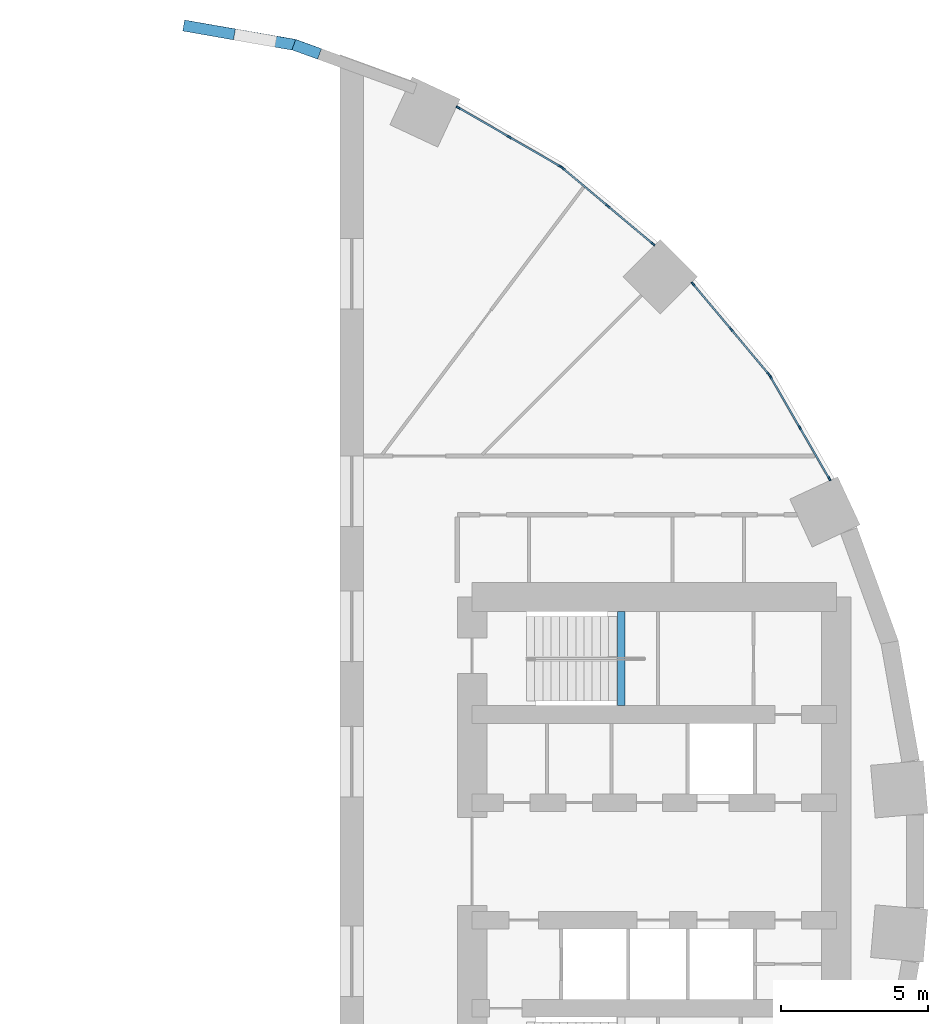
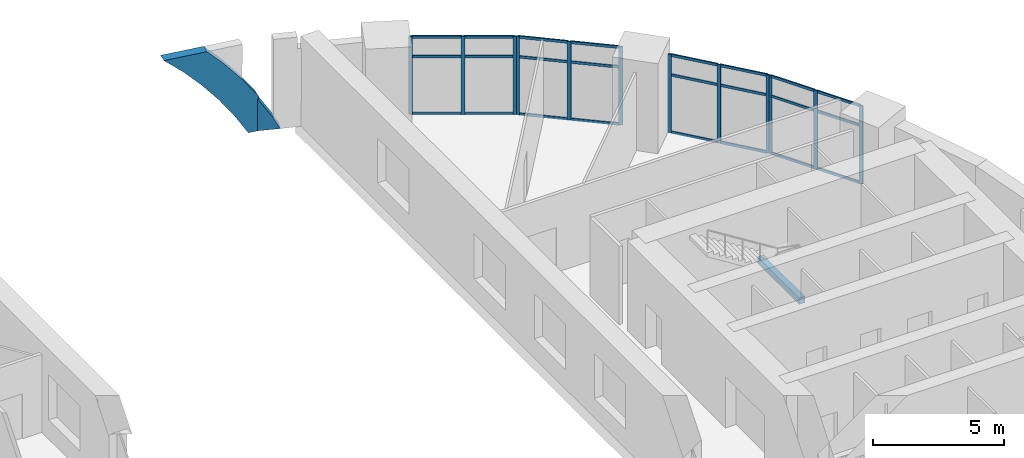
# One storey, part 5 of 13: 38 members, 1 beam, 4 elements without a shape of their own.
"""IFC4 building model written with IfcOpenShell, lengths in metres."""

from ifc_helpers import new_model, si_unit, direction, frame, origin, origin_2d, place, context, subcontext, project, spatial, polyline, rectangle, hollow_rectangle, outline, extrude, material, layer, layer_set, material_profile, profile_set, type_object, element, aggregate, save


model = new_model("IFC4")

# Units and contexts
model_context = context("Model", 3, precision=1e-05, world=origin(), true_north=direction((0.0, 1.0)))
body_context = subcontext(model_context, "Body", "Model", "MODEL_VIEW")
ifc_project = project(units=[si_unit("LENGTHUNIT", "METRE"), si_unit("AREAUNIT", "SQUARE_METRE"), si_unit("VOLUMEUNIT", "CUBIC_METRE"), si_unit("PLANEANGLEUNIT", "RADIAN"), si_unit("MASSUNIT", "GRAM", prefix="KILO")], contexts=[model_context])

# Site, building, storey
site_placement = place(None, origin())
site = spatial("IfcSite", under=ifc_project, at=site_placement, CompositionType="ELEMENT")
building_placement = place(site_placement, origin())
building = spatial("IfcBuilding", under=site, at=building_placement, Name="Saqina Gate Tower", CompositionType="ELEMENT")
storey_placement = place(building_placement, frame((0.0, 0.0, 13.39990234375)))
storey = spatial("IfcBuildingStorey", under=building, at=storey_placement, Name="L03", CompositionType="ELEMENT", Elevation=13.39990234375)

# Curtain wall, members
ifc_material_1 = material(Name="Aluminium glazing", Category="aluminium")
ifc_layer = layer(ifc_material_1, 0.159912109375)
ifc_layer_set = layer_set([ifc_layer], Name="CWT-1")
curtain_wall_type = type_object("IfcCurtainWallType", Name="CWT-1", PredefinedType="NOTDEFINED", material=ifc_layer_set)
curtain_wall_1_placement = place(storey_placement, origin())
curtain_wall_1 = element("IfcCurtainWall", 1, at=curtain_wall_1_placement, inside=storey, type_object=curtain_wall_type, Name="Podium shopfront facet 3", PredefinedType="NOTDEFINED")
ifc_material_2 = material(Name="Aluminium", Category="aluminium")
ifc_material_profile_1 = material_profile(ifc_material_2, rectangle(XDim=0.06005859375, YDim=0.159912109375, at=origin_2d()), Name="Aluminium 60x160")
ifc_profile_set_1 = profile_set([ifc_material_profile_1], Name="Aluminium")
member_type_1 = type_object("IfcMemberType", Name="CWT-1M", PredefinedType="MULLION", material=ifc_profile_set_1)
member_1_placement = place(storey_placement, frame((25.66015625, 13.03466796875, 0.0), z_axis=(0.0, 0.0, 1.0), x_axis=(-0.866017381415, -0.500013894893, 0.0)))
member_1 = element("IfcMember", 2, at=member_1_placement, type_object=member_type_1, Name="CW1-03 mullion 1", PredefinedType="MULLION", context=body_context, shape_type="SweptSolid", body=[
    extrude(rectangle(XDim=0.06005859375, YDim=0.159912109375, at=origin_2d()), origin(), (0.0, 0.0, 1.0), 3.650146484375),
])
member_2_placement = place(storey_placement, frame((24.65771484375, 14.770751953125, 0.0), z_axis=(0.0, 0.0, 1.0), x_axis=(-0.866017381415, -0.500013894893, 0.0)))
member_2 = element("IfcMember", 3, at=member_2_placement, type_object=member_type_1, Name="CW1-03 mullion 2", PredefinedType="MULLION", context=body_context, shape_type="SweptSolid", body=[
    extrude(rectangle(XDim=0.06005859375, YDim=0.159912109375, at=origin_2d()), origin(), (0.0, 0.0, 1.0), 3.650146484375),
])
member_3_placement = place(storey_placement, frame((23.655517578125, 16.5068359375, 0.0), z_axis=(0.0, 0.0, 1.0), x_axis=(-0.866017381415, -0.500013894893, 0.0)))
member_3 = element("IfcMember", 4, at=member_3_placement, type_object=member_type_1, Name="CW1-03 mullion 3", PredefinedType="MULLION", context=body_context, shape_type="SweptSolid", body=[
    extrude(rectangle(XDim=0.06005859375, YDim=0.159912109375, at=origin_2d()), origin(), (0.0, 0.0, 1.0), 3.650146484375),
])

curtain_wall_2_placement = place(storey_placement, origin())
curtain_wall_2 = element("IfcCurtainWall", 5, at=curtain_wall_2_placement, inside=storey, type_object=curtain_wall_type, Name="Podium shopfront facet 4", PredefinedType="NOTDEFINED")
member_4_placement = place(storey_placement, frame((23.601806640625, 16.583251953125, 0.0), z_axis=(0.0, 0.0, 1.0), x_axis=(-0.766051396473, -0.642779322911, 0.0)))
member_4 = element("IfcMember", 6, at=member_4_placement, type_object=member_type_1, Name="CW1-04 mullion 1", PredefinedType="MULLION", context=body_context, shape_type="SweptSolid", body=[
    extrude(rectangle(XDim=0.06005859375, YDim=0.159912109375, at=origin_2d()), origin(), (0.0, 0.0, 1.0), 3.650146484375),
])
member_5_placement = place(storey_placement, frame((22.3134765625, 18.118896484375, 0.0), z_axis=(0.0, 0.0, 1.0), x_axis=(-0.766051396473, -0.642779322911, 0.0)))
member_5 = element("IfcMember", 7, at=member_5_placement, type_object=member_type_1, Name="CW1-04 mullion 2", PredefinedType="MULLION", context=body_context, shape_type="SweptSolid", body=[
    extrude(rectangle(XDim=0.06005859375, YDim=0.159912109375, at=origin_2d()), origin(), (0.0, 0.0, 1.0), 3.650146484375),
])
member_6_placement = place(storey_placement, frame((21.02490234375, 19.654296875, 0.0), z_axis=(0.0, 0.0, 1.0), x_axis=(-0.766051396473, -0.642779322911, 0.0)))
member_6 = element("IfcMember", 8, at=member_6_placement, type_object=member_type_1, Name="CW1-04 mullion 3", PredefinedType="MULLION", context=body_context, shape_type="SweptSolid", body=[
    extrude(rectangle(XDim=0.06005859375, YDim=0.159912109375, at=origin_2d()), origin(), (0.0, 0.0, 1.0), 3.650146484375),
])

curtain_wall_3_placement = place(storey_placement, origin())
curtain_wall_3 = element("IfcCurtainWall", 9, at=curtain_wall_3_placement, inside=storey, type_object=curtain_wall_type, Name="Podium shopfront facet 5", PredefinedType="NOTDEFINED")
member_7_placement = place(storey_placement, frame((19.654296875, 21.02490234375, 0.0), z_axis=(0.0, 0.0, 1.0), x_axis=(-0.642779322911, -0.766051396473, 0.0)))
member_7 = element("IfcMember", 10, at=member_7_placement, type_object=member_type_1, Name="CW1-05 mullion 1", PredefinedType="MULLION", context=body_context, shape_type="SweptSolid", body=[
    extrude(rectangle(XDim=0.06005859375, YDim=0.159912109375, at=origin_2d()), origin(), (0.0, 0.0, 1.0), 3.650146484375),
])
member_8_placement = place(storey_placement, frame((18.118896484375, 22.3134765625, 0.0), z_axis=(0.0, 0.0, 1.0), x_axis=(-0.642779322911, -0.766051396473, 0.0)))
member_8 = element("IfcMember", 11, at=member_8_placement, type_object=member_type_1, Name="CW1-05 mullion 2", PredefinedType="MULLION", context=body_context, shape_type="SweptSolid", body=[
    extrude(rectangle(XDim=0.06005859375, YDim=0.159912109375, at=origin_2d()), origin(), (0.0, 0.0, 1.0), 3.650146484375),
])
member_9_placement = place(storey_placement, frame((16.583251953125, 23.601806640625, 0.0), z_axis=(0.0, 0.0, 1.0), x_axis=(-0.642779322911, -0.766051396473, 0.0)))
member_9 = element("IfcMember", 12, at=member_9_placement, type_object=member_type_1, Name="CW1-05 mullion 3", PredefinedType="MULLION", context=body_context, shape_type="SweptSolid", body=[
    extrude(rectangle(XDim=0.06005859375, YDim=0.159912109375, at=origin_2d()), origin(), (0.0, 0.0, 1.0), 3.650146484375),
])

curtain_wall_4_placement = place(storey_placement, origin())
curtain_wall_4 = element("IfcCurtainWall", 13, at=curtain_wall_4_placement, inside=storey, type_object=curtain_wall_type, Name="Podium shopfront facet 6", PredefinedType="NOTDEFINED")
member_10_placement = place(storey_placement, frame((16.5068359375, 23.655517578125, 0.0), z_axis=(0.0, 0.0, 1.0), x_axis=(-0.500013894893, -0.866017381415, 0.0)))
member_10 = element("IfcMember", 14, at=member_10_placement, type_object=member_type_1, Name="CW1-06 mullion 1", PredefinedType="MULLION", context=body_context, shape_type="SweptSolid", body=[
    extrude(rectangle(XDim=0.06005859375, YDim=0.159912109375, at=origin_2d()), origin(), (0.0, 0.0, 1.0), 3.650146484375),
])
member_11_placement = place(storey_placement, frame((14.770751953125, 24.65771484375, 0.0), z_axis=(0.0, 0.0, 1.0), x_axis=(-0.500013894893, -0.866017381415, 0.0)))
member_11 = element("IfcMember", 15, at=member_11_placement, type_object=member_type_1, Name="CW1-06 mullion 2", PredefinedType="MULLION", context=body_context, shape_type="SweptSolid", body=[
    extrude(rectangle(XDim=0.06005859375, YDim=0.159912109375, at=origin_2d()), origin(), (0.0, 0.0, 1.0), 3.650146484375),
])
member_12_placement = place(storey_placement, frame((13.03466796875, 25.66015625, 0.0), z_axis=(0.0, 0.0, 1.0), x_axis=(-0.500013894893, -0.866017381415, 0.0)))
member_12 = element("IfcMember", 16, at=member_12_placement, type_object=member_type_1, Name="CW1-06 mullion 3", PredefinedType="MULLION", context=body_context, shape_type="SweptSolid", body=[
    extrude(rectangle(XDim=0.06005859375, YDim=0.159912109375, at=origin_2d()), origin(), (0.0, 0.0, 1.0), 3.650146484375),
])

# Member
ifc_material_3 = material(Name="Aluminium", Category="aluminium")
ifc_material_profile_2 = material_profile(ifc_material_3, rectangle(XDim=0.06005859375, YDim=0.1201171875, at=origin_2d()), Name="Aluminium 60x120")
ifc_profile_set_2 = profile_set([ifc_material_profile_2], Name="Aluminium")
member_type_2 = type_object("IfcMemberType", Name="CWT-1T", PredefinedType="USERDEFINED", material=ifc_profile_set_2)
member_13_placement = place(storey_placement, frame((25.64501953125, 13.060791015625, 0.030029296875), z_axis=(-0.499947064232, 0.866055964107, 0.0), x_axis=(-0.866055964107, -0.499947064232, 0.0)))
member_13 = element("IfcMember", 17, at=member_13_placement, type_object=member_type_2, Name="CW1-03 transom 1.1", ObjectType="TRANSOM", PredefinedType="USERDEFINED", context=body_context, shape_type="SweptSolid", body=[
    extrude(rectangle(XDim=0.06005859375, YDim=0.1201171875, at=origin_2d()), origin(), (0.0, 0.0, 1.0), 1.944580078125),
])

member_14_placement = place(storey_placement, frame((25.64501953125, 13.060791015625, 2.7001953125), z_axis=(-0.499947064232, 0.866055964107, 0.0), x_axis=(-0.866055964107, -0.499947064232, 0.0)))
member_14 = element("IfcMember", 18, at=member_14_placement, type_object=member_type_2, Name="CW1-03 transom 1.2", ObjectType="TRANSOM", PredefinedType="USERDEFINED", context=body_context, shape_type="SweptSolid", body=[
    extrude(rectangle(XDim=0.06005859375, YDim=0.1201171875, at=origin_2d()), origin(), (0.0, 0.0, 1.0), 1.944580078125),
])

member_15_placement = place(storey_placement, frame((25.64501953125, 13.060791015625, 3.6201171875), z_axis=(-0.499947064232, 0.866055964107, 0.0), x_axis=(-0.866055964107, -0.499947064232, 0.0)))
member_15 = element("IfcMember", 19, at=member_15_placement, type_object=member_type_2, Name="CW1-03 transom 1.3", ObjectType="TRANSOM", PredefinedType="USERDEFINED", context=body_context, shape_type="SweptSolid", body=[
    extrude(rectangle(XDim=0.06005859375, YDim=0.1201171875, at=origin_2d()), origin(), (0.0, 0.0, 1.0), 1.944580078125),
])

member_16_placement = place(storey_placement, frame((24.642822265625, 14.796630859375, 0.030029296875), z_axis=(-0.500041225824, 0.866001600736, 0.0), x_axis=(-0.866001600736, -0.500041225824, 0.0)))
member_16 = element("IfcMember", 20, at=member_16_placement, type_object=member_type_2, Name="CW1-03 transom 2.1", ObjectType="TRANSOM", PredefinedType="USERDEFINED", context=body_context, shape_type="SweptSolid", body=[
    extrude(rectangle(XDim=0.06005859375, YDim=0.1201171875, at=origin_2d()), origin(), (0.0, 0.0, 1.0), 1.944580078125),
])

member_17_placement = place(storey_placement, frame((24.642822265625, 14.796630859375, 2.7001953125), z_axis=(-0.500041225824, 0.866001600736, 0.0), x_axis=(-0.866001600736, -0.500041225824, 0.0)))
member_17 = element("IfcMember", 21, at=member_17_placement, type_object=member_type_2, Name="CW1-03 transom 2.2", ObjectType="TRANSOM", PredefinedType="USERDEFINED", context=body_context, shape_type="SweptSolid", body=[
    extrude(rectangle(XDim=0.06005859375, YDim=0.1201171875, at=origin_2d()), origin(), (0.0, 0.0, 1.0), 1.944580078125),
])

member_18_placement = place(storey_placement, frame((24.642822265625, 14.796630859375, 3.6201171875), z_axis=(-0.500041225824, 0.866001600736, 0.0), x_axis=(-0.866001600736, -0.500041225824, 0.0)))
member_18 = element("IfcMember", 22, at=member_18_placement, type_object=member_type_2, Name="CW1-03 transom 2.3", ObjectType="TRANSOM", PredefinedType="USERDEFINED", context=body_context, shape_type="SweptSolid", body=[
    extrude(rectangle(XDim=0.06005859375, YDim=0.1201171875, at=origin_2d()), origin(), (0.0, 0.0, 1.0), 1.944580078125),
])

aggregate(curtain_wall_1, [member_1, member_2, member_3, member_13, member_14, member_15, member_16, member_17, member_18])

member_19_placement = place(storey_placement, frame((23.58251953125, 16.606201171875, 0.030029296875), z_axis=(-0.642700228444, 0.766117756196, 0.0), x_axis=(-0.766117756196, -0.642700228444, 0.0)))
member_19 = element("IfcMember", 23, at=member_19_placement, type_object=member_type_2, Name="CW1-04 transom 1.1", ObjectType="TRANSOM", PredefinedType="USERDEFINED", context=body_context, shape_type="SweptSolid", body=[
    extrude(rectangle(XDim=0.06005859375, YDim=0.1201171875, at=origin_2d()), origin(), (0.0, 0.0, 1.0), 1.944580078125),
])

member_20_placement = place(storey_placement, frame((23.58251953125, 16.606201171875, 2.7001953125), z_axis=(-0.642700228444, 0.766117756196, 0.0), x_axis=(-0.766117756196, -0.642700228444, 0.0)))
member_20 = element("IfcMember", 24, at=member_20_placement, type_object=member_type_2, Name="CW1-04 transom 1.2", ObjectType="TRANSOM", PredefinedType="USERDEFINED", context=body_context, shape_type="SweptSolid", body=[
    extrude(rectangle(XDim=0.06005859375, YDim=0.1201171875, at=origin_2d()), origin(), (0.0, 0.0, 1.0), 1.944580078125),
])

member_21_placement = place(storey_placement, frame((23.58251953125, 16.606201171875, 3.6201171875), z_axis=(-0.642700228444, 0.766117756196, 0.0), x_axis=(-0.766117756196, -0.642700228444, 0.0)))
member_21 = element("IfcMember", 25, at=member_21_placement, type_object=member_type_2, Name="CW1-04 transom 1.3", ObjectType="TRANSOM", PredefinedType="USERDEFINED", context=body_context, shape_type="SweptSolid", body=[
    extrude(rectangle(XDim=0.06005859375, YDim=0.1201171875, at=origin_2d()), origin(), (0.0, 0.0, 1.0), 1.944580078125),
])

member_22_placement = place(storey_placement, frame((22.294189453125, 18.141845703125, 0.030029296875), z_axis=(-0.642835731235, 0.76600406177, 0.0), x_axis=(-0.76600406177, -0.642835731235, 0.0)))
member_22 = element("IfcMember", 26, at=member_22_placement, type_object=member_type_2, Name="CW1-04 transom 2.1", ObjectType="TRANSOM", PredefinedType="USERDEFINED", context=body_context, shape_type="SweptSolid", body=[
    extrude(rectangle(XDim=0.06005859375, YDim=0.1201171875, at=origin_2d()), origin(), (0.0, 0.0, 1.0), 1.944580078125),
])

member_23_placement = place(storey_placement, frame((22.294189453125, 18.141845703125, 2.7001953125), z_axis=(-0.642835731235, 0.76600406177, 0.0), x_axis=(-0.76600406177, -0.642835731235, 0.0)))
member_23 = element("IfcMember", 27, at=member_23_placement, type_object=member_type_2, Name="CW1-04 transom 2.2", ObjectType="TRANSOM", PredefinedType="USERDEFINED", context=body_context, shape_type="SweptSolid", body=[
    extrude(rectangle(XDim=0.06005859375, YDim=0.1201171875, at=origin_2d()), origin(), (0.0, 0.0, 1.0), 1.944580078125),
])

member_24_placement = place(storey_placement, frame((22.294189453125, 18.141845703125, 3.6201171875), z_axis=(-0.642835731235, 0.76600406177, 0.0), x_axis=(-0.76600406177, -0.642835731235, 0.0)))
member_24 = element("IfcMember", 28, at=member_24_placement, type_object=member_type_2, Name="CW1-04 transom 2.3", ObjectType="TRANSOM", PredefinedType="USERDEFINED", context=body_context, shape_type="SweptSolid", body=[
    extrude(rectangle(XDim=0.06005859375, YDim=0.1201171875, at=origin_2d()), origin(), (0.0, 0.0, 1.0), 1.944580078125),
])

aggregate(curtain_wall_2, [member_4, member_5, member_6, member_19, member_20, member_21, member_22, member_23, member_24])

member_25_placement = place(storey_placement, frame((19.63134765625, 21.044189453125, 0.030029296875), z_axis=(-0.76600406177, 0.642835731235, 0.0), x_axis=(-0.642835731235, -0.76600406177, 0.0)))
member_25 = element("IfcMember", 29, at=member_25_placement, type_object=member_type_2, Name="CW1-05 transom 1.1", ObjectType="TRANSOM", PredefinedType="USERDEFINED", context=body_context, shape_type="SweptSolid", body=[
    extrude(rectangle(XDim=0.06005859375, YDim=0.1201171875, at=origin_2d()), origin(), (0.0, 0.0, 1.0), 1.944580078125),
])

member_26_placement = place(storey_placement, frame((19.63134765625, 21.044189453125, 2.7001953125), z_axis=(-0.76600406177, 0.642835731235, 0.0), x_axis=(-0.642835731235, -0.76600406177, 0.0)))
member_26 = element("IfcMember", 30, at=member_26_placement, type_object=member_type_2, Name="CW1-05 transom 1.2", ObjectType="TRANSOM", PredefinedType="USERDEFINED", context=body_context, shape_type="SweptSolid", body=[
    extrude(rectangle(XDim=0.06005859375, YDim=0.1201171875, at=origin_2d()), origin(), (0.0, 0.0, 1.0), 1.944580078125),
])

member_27_placement = place(storey_placement, frame((19.63134765625, 21.044189453125, 3.6201171875), z_axis=(-0.76600406177, 0.642835731235, 0.0), x_axis=(-0.642835731235, -0.76600406177, 0.0)))
member_27 = element("IfcMember", 31, at=member_27_placement, type_object=member_type_2, Name="CW1-05 transom 1.3", ObjectType="TRANSOM", PredefinedType="USERDEFINED", context=body_context, shape_type="SweptSolid", body=[
    extrude(rectangle(XDim=0.06005859375, YDim=0.1201171875, at=origin_2d()), origin(), (0.0, 0.0, 1.0), 1.944580078125),
])

member_28_placement = place(storey_placement, frame((18.095947265625, 22.332763671875, 0.030029296875), z_axis=(-0.766117756196, 0.642700228444, 0.0), x_axis=(-0.642700228444, -0.766117756196, 0.0)))
member_28 = element("IfcMember", 32, at=member_28_placement, type_object=member_type_2, Name="CW1-05 transom 2.1", ObjectType="TRANSOM", PredefinedType="USERDEFINED", context=body_context, shape_type="SweptSolid", body=[
    extrude(rectangle(XDim=0.06005859375, YDim=0.1201171875, at=origin_2d()), origin(), (0.0, 0.0, 1.0), 1.944580078125),
])

member_29_placement = place(storey_placement, frame((18.095947265625, 22.332763671875, 2.7001953125), z_axis=(-0.766117756196, 0.642700228444, 0.0), x_axis=(-0.642700228444, -0.766117756196, 0.0)))
member_29 = element("IfcMember", 33, at=member_29_placement, type_object=member_type_2, Name="CW1-05 transom 2.2", ObjectType="TRANSOM", PredefinedType="USERDEFINED", context=body_context, shape_type="SweptSolid", body=[
    extrude(rectangle(XDim=0.06005859375, YDim=0.1201171875, at=origin_2d()), origin(), (0.0, 0.0, 1.0), 1.944580078125),
])

member_30_placement = place(storey_placement, frame((18.095947265625, 22.332763671875, 3.6201171875), z_axis=(-0.766117756196, 0.642700228444, 0.0), x_axis=(-0.642700228444, -0.766117756196, 0.0)))
member_30 = element("IfcMember", 34, at=member_30_placement, type_object=member_type_2, Name="CW1-05 transom 2.3", ObjectType="TRANSOM", PredefinedType="USERDEFINED", context=body_context, shape_type="SweptSolid", body=[
    extrude(rectangle(XDim=0.06005859375, YDim=0.1201171875, at=origin_2d()), origin(), (0.0, 0.0, 1.0), 1.944580078125),
])

aggregate(curtain_wall_3, [member_7, member_8, member_9, member_25, member_26, member_27, member_28, member_29, member_30])

member_31_placement = place(storey_placement, frame((16.480712890625, 23.67041015625, 0.030029296875), z_axis=(-0.866001600736, 0.500041225824, 0.0), x_axis=(-0.500041225824, -0.866001600736, 0.0)))
member_31 = element("IfcMember", 35, at=member_31_placement, type_object=member_type_2, Name="CW1-06 transom 1.1", ObjectType="TRANSOM", PredefinedType="USERDEFINED", context=body_context, shape_type="SweptSolid", body=[
    extrude(rectangle(XDim=0.06005859375, YDim=0.1201171875, at=origin_2d()), origin(), (0.0, 0.0, 1.0), 1.944580078125),
])

member_32_placement = place(storey_placement, frame((16.480712890625, 23.67041015625, 2.7001953125), z_axis=(-0.866001600736, 0.500041225824, 0.0), x_axis=(-0.500041225824, -0.866001600736, 0.0)))
member_32 = element("IfcMember", 36, at=member_32_placement, type_object=member_type_2, Name="CW1-06 transom 1.2", ObjectType="TRANSOM", PredefinedType="USERDEFINED", context=body_context, shape_type="SweptSolid", body=[
    extrude(rectangle(XDim=0.06005859375, YDim=0.1201171875, at=origin_2d()), origin(), (0.0, 0.0, 1.0), 1.944580078125),
])

member_33_placement = place(storey_placement, frame((16.480712890625, 23.67041015625, 3.6201171875), z_axis=(-0.866001600736, 0.500041225824, 0.0), x_axis=(-0.500041225824, -0.866001600736, 0.0)))
member_33 = element("IfcMember", 37, at=member_33_placement, type_object=member_type_2, Name="CW1-06 transom 1.3", ObjectType="TRANSOM", PredefinedType="USERDEFINED", context=body_context, shape_type="SweptSolid", body=[
    extrude(rectangle(XDim=0.06005859375, YDim=0.1201171875, at=origin_2d()), origin(), (0.0, 0.0, 1.0), 1.944580078125),
])

member_34_placement = place(storey_placement, frame((14.744873046875, 24.6728515625, 0.030029296875), z_axis=(-0.866055964107, 0.499947064232, 0.0), x_axis=(-0.499947064232, -0.866055964107, 0.0)))
member_34 = element("IfcMember", 38, at=member_34_placement, type_object=member_type_2, Name="CW1-06 transom 2.1", ObjectType="TRANSOM", PredefinedType="USERDEFINED", context=body_context, shape_type="SweptSolid", body=[
    extrude(rectangle(XDim=0.06005859375, YDim=0.1201171875, at=origin_2d()), origin(), (0.0, 0.0, 1.0), 1.944580078125),
])

member_35_placement = place(storey_placement, frame((14.744873046875, 24.6728515625, 2.7001953125), z_axis=(-0.866055964107, 0.499947064232, 0.0), x_axis=(-0.499947064232, -0.866055964107, 0.0)))
member_35 = element("IfcMember", 39, at=member_35_placement, type_object=member_type_2, Name="CW1-06 transom 2.2", ObjectType="TRANSOM", PredefinedType="USERDEFINED", context=body_context, shape_type="SweptSolid", body=[
    extrude(rectangle(XDim=0.06005859375, YDim=0.1201171875, at=origin_2d()), origin(), (0.0, 0.0, 1.0), 1.944580078125),
])

member_36_placement = place(storey_placement, frame((14.744873046875, 24.6728515625, 3.6201171875), z_axis=(-0.866055964107, 0.499947064232, 0.0), x_axis=(-0.499947064232, -0.866055964107, 0.0)))
member_36 = element("IfcMember", 40, at=member_36_placement, type_object=member_type_2, Name="CW1-06 transom 2.3", ObjectType="TRANSOM", PredefinedType="USERDEFINED", context=body_context, shape_type="SweptSolid", body=[
    extrude(rectangle(XDim=0.06005859375, YDim=0.1201171875, at=origin_2d()), origin(), (0.0, 0.0, 1.0), 1.944580078125),
])

aggregate(curtain_wall_4, [member_10, member_11, member_12, member_31, member_32, member_33, member_34, member_35, member_36])

# Beam
ifc_material_4 = material(Name="Concrete C40/50", Category="concrete")
ifc_material_profile_3 = material_profile(ifc_material_4, rectangle(XDim=0.25, YDim=0.300048828125, at=origin_2d()), Name="STAIR LANDING BEAM")
ifc_profile_set_3 = profile_set([ifc_material_profile_3], Name="Concrete C40/50")
beam_type = type_object("IfcBeamType", Name="STAIR LANDING BEAM", PredefinedType="BEAM", material=ifc_profile_set_3)
beam_placement = place(storey_placement, frame((18.580078125, 5.300048828125, 1.7001953125), z_axis=(0.0, 1.0, 0.0), x_axis=(-1.0, 0.0, 0.0)))
element("IfcBeam", 41, at=beam_placement, inside=storey, type_object=beam_type, Name="EXIT STAIR 1 LANDING BEAM", PredefinedType="BEAM", context=body_context, shape_type="SweptSolid", body=[
    extrude(rectangle(XDim=0.25, YDim=0.300048828125, at=origin_2d()), origin(), (0.0, 0.0, 1.0), 3.199951171875),
])

# Members
ifc_material_5 = material(Name="Steel S355", Category="steel")
ifc_material_profile_4 = material_profile(ifc_material_5, hollow_rectangle(XDim=1.199951171875, YDim=0.3798828125, WallThickness=0.030029296875, at=origin_2d()), Name="BOX 1200x380x30")
ifc_profile_set_4 = profile_set([ifc_material_profile_4], Name="Steel S355")
member_type_3 = type_object("IfcMemberType", Name="STR-ARCH RIB-BOX 1200x380x30", PredefinedType="USERDEFINED", material=ifc_profile_set_4)
member_37_placement = place(storey_placement, frame((8.37353515625, 27.66748046875, 0.0), z_axis=(0.342017327314, 0.939691469449, 0.002022390052), x_axis=(-0.442372190087, 0.159109652618, 0.882604647553)))
element("IfcMember", 42, at=member_37_placement, inside=storey, type_object=member_type_3, Name="ARCH RIB N L03 facet 7", ObjectType="ARCH RIB", PredefinedType="USERDEFINED", context=body_context, shape_type="SweptSolid", body=[
    extrude(outline(polyline([(0.0, 0.0), (0.6572345830808218, 0.0), (1.8231328750533389, -0.08615407552260268), (0.4387102594639212, -0.8236502044199412), (0.0, 0.0)])), origin(), (0.0, 0.0, -1.0), 0.3798828125),
])
member_38_placement = place(storey_placement, frame((7.501220703125, 27.9853515625, 0.0), z_axis=(0.173664389747, 0.984802845198, 0.002008935817), x_axis=(-0.000451266265, -0.001960354686, 0.999997976682)))
element("IfcMember", 43, at=member_38_placement, inside=storey, type_object=member_type_3, Name="ARCH RIB N L03 facet 8", ObjectType="ARCH RIB", PredefinedType="USERDEFINED", context=body_context, shape_type="SweptSolid", body=[
    extrude(outline(polyline([(0.0, 0.0), (1.6362337104817004, -1.6263032587282567e-19), (2.5510972320630714, -0.6449106129689786), (3.4730527714589736, -1.3995960570264532), (4.200420785401297, -2.087194629482059), (4.2006032523655, -3.842881896343154), (3.484211855317769, -3.0613181760732235), (2.6799318282940265, -2.3011190257137044), (1.8243889341892443, -1.6008902170581938), (0.921976954937217, -0.9644497494295621), (4.251126061963239e-05, -0.40904892673041865), (0.0, 0.0)])), origin(), (0.0, 0.0, -1.0), 0.3798828125),
])

save(model, "model.ifc")
